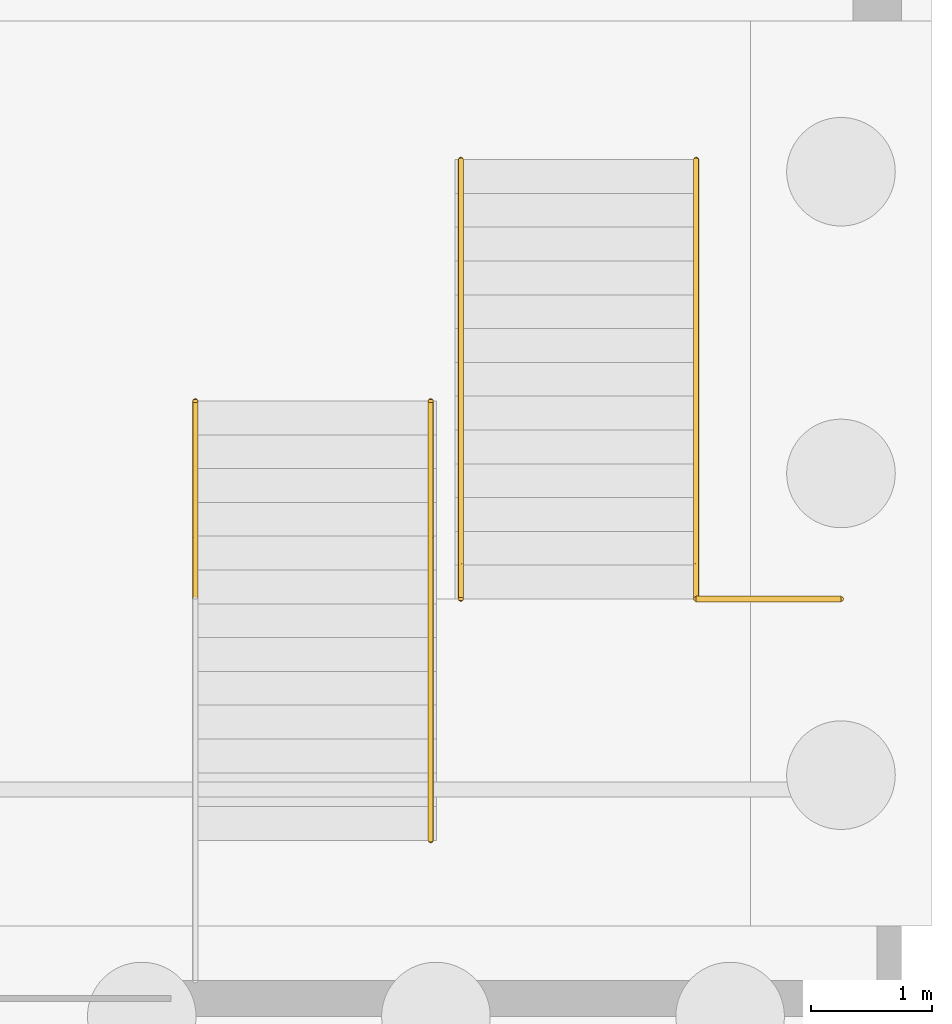
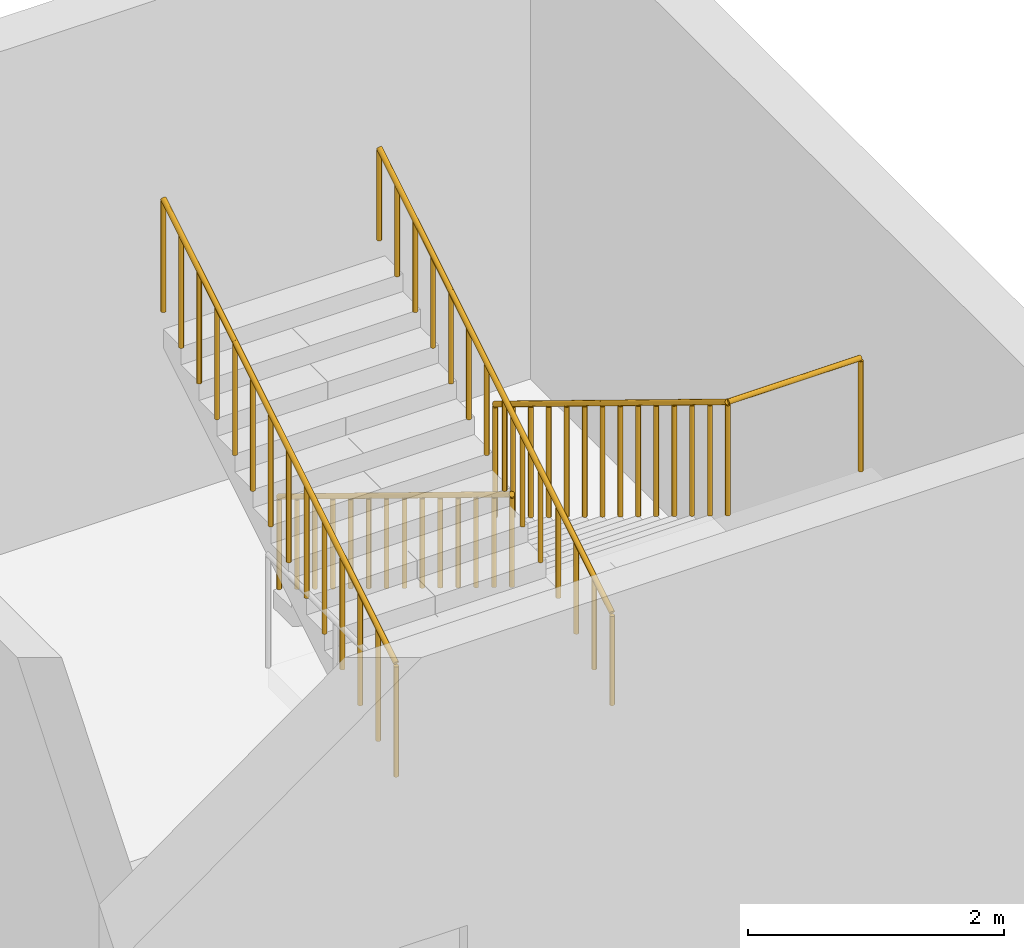
# One storey, part 17 of 17: 5 railings.
"""IFC4 building model written with IfcOpenShell, lengths in metres."""

from ifc_helpers import new_model, si_unit, direction, frame, origin, origin_2d, place, context, subcontext, project, spatial, circle, extrude, material, type_object, element, save


model = new_model("IFC4")

# Units and contexts
model_context = context("Model", 3, precision=1e-05, world=origin(), true_north=direction((0.0, 1.0)))
body_context = subcontext(model_context, "Body", "Model", "MODEL_VIEW")
ifc_project = project(units=[si_unit("LENGTHUNIT", "METRE"), si_unit("AREAUNIT", "SQUARE_METRE"), si_unit("VOLUMEUNIT", "CUBIC_METRE"), si_unit("PLANEANGLEUNIT", "RADIAN"), si_unit("MASSUNIT", "GRAM", prefix="KILO")], contexts=[model_context])

# Site, building, storey
site_placement = place(None, origin())
site = spatial("IfcSite", under=ifc_project, at=site_placement, CompositionType="ELEMENT")
building_placement = place(site_placement, origin())
building = spatial("IfcBuilding", under=site, at=building_placement, Name="Halyard Row Museum", CompositionType="ELEMENT")
storey_placement = place(building_placement, frame((0.0, 0.0, -9.60009765625)))
storey = spatial("IfcBuildingStorey", under=building, at=storey_placement, Name="B2", CompositionType="ELEMENT", Elevation=-9.60009765625)

# Railings
ifc_material_1 = material(Name="Steel Grade 300", Category="steel")
railing_type_1 = type_object("IfcRailingType", Name="Guard GR2 steel balustrade 1100", PredefinedType="GUARDRAIL", material=ifc_material_1)
railing_1_placement = place(storey_placement, frame((106.5, 61.10009765625, 0.171630859375)))
element("IfcRailing", 1, at=railing_1_placement, inside=storey, type_object=railing_type_1, Name="Guard GR108", PredefinedType="GUARDRAIL", context=body_context, shape_type="SweptSolid", body=[
    extrude(circle(Radius=0.02392578125, at=origin_2d()), frame((0.0, 0.0, 1.076171875), z_axis=(0.0, -0.852932391421, 0.522021393877), x_axis=(1.0, 0.0, 0.0)), (0.0, 0.0, 1.0), 0.328369140625),
    extrude(circle(Radius=0.02392578125, at=origin_2d()), frame((0.0, -0.280029296875, 1.24755859375), z_axis=(0.0, -0.852932391421, 0.522021393877), x_axis=(1.0, 0.0, 0.0)), (0.0, 0.0, 1.0), 0.328369140625),
    extrude(circle(Radius=0.02392578125, at=origin_2d()), frame((0.0, -0.56005859375, 1.4189453125), z_axis=(0.0, -0.852932391421, 0.522021393877), x_axis=(1.0, 0.0, 0.0)), (0.0, 0.0, 1.0), 0.328369140625),
    extrude(circle(Radius=0.02392578125, at=origin_2d()), frame((0.0, -0.840087890625, 1.59033203125), z_axis=(0.0, -0.852932391421, 0.522021393877), x_axis=(1.0, 0.0, 0.0)), (0.0, 0.0, 1.0), 0.328369140625),
    extrude(circle(Radius=0.02392578125, at=origin_2d()), frame((0.0, -1.1201171875, 1.76171875), z_axis=(0.0, -0.852932391421, 0.522021393877), x_axis=(1.0, 0.0, 0.0)), (0.0, 0.0, 1.0), 0.328369140625),
    extrude(circle(Radius=0.02392578125, at=origin_2d()), frame((0.0, -1.400146484375, 1.93310546875), z_axis=(0.0, -0.852601252411, 0.522562057929), x_axis=(1.0, 0.0, 0.0)), (0.0, 0.0, 1.0), 0.328369140625),
    extrude(circle(Radius=0.02392578125, at=origin_2d()), frame((0.0, -1.68017578125, 2.1044921875), z_axis=(0.0, -0.852932391421, 0.522021393877), x_axis=(1.0, 0.0, 0.0)), (0.0, 0.0, 1.0), 0.328369140625),
    extrude(circle(Radius=0.02392578125, at=origin_2d()), frame((0.0, -1.960205078125, 2.27587890625), z_axis=(0.0, -0.852729557261, 0.522352660731), x_axis=(1.0, 0.0, 0.0)), (0.0, 0.0, 1.0), 0.328125),
    extrude(circle(Radius=0.02392578125, at=origin_2d()), frame((0.0, -2.239990234375, 2.447265625), z_axis=(0.0, -0.852932391421, 0.522021393877), x_axis=(1.0, 0.0, 0.0)), (0.0, 0.0, 1.0), 0.328369140625),
    extrude(circle(Radius=0.02392578125, at=origin_2d()), frame((0.0, -2.52001953125, 2.61865234375), z_axis=(0.0, -0.852932391421, 0.522021393877), x_axis=(1.0, 0.0, 0.0)), (0.0, 0.0, 1.0), 0.328369140625),
    extrude(circle(Radius=0.02392578125, at=origin_2d()), frame((0.0, -2.800048828125, 2.7900390625), z_axis=(0.0, -0.852932391421, 0.522021393877), x_axis=(1.0, 0.0, 0.0)), (0.0, 0.0, 1.0), 0.328369140625),
    extrude(circle(Radius=0.02392578125, at=origin_2d()), frame((0.0, -3.080078125, 2.96142578125), z_axis=(0.0, -0.852601252411, 0.522562057929), x_axis=(1.0, 0.0, 0.0)), (0.0, 0.0, 1.0), 0.328369140625),
    extrude(circle(Radius=0.02392578125, at=origin_2d()), frame((0.0, -3.360107421875, 3.13330078125), z_axis=(0.0, -0.852932391421, 0.522021393877), x_axis=(1.0, 0.0, 0.0)), (0.0, 0.0, 1.0), 0.328369140625),
    extrude(circle(Radius=0.02099609375, at=origin_2d()), origin(), (0.0, 0.0, 1.0), 1.052001953125),
    extrude(circle(Radius=0.02099609375, at=origin_2d()), frame((0.0, -0.280029296875, 0.17138671875)), (0.0, 0.0, 1.0), 1.052001953125),
    extrude(circle(Radius=0.02099609375, at=origin_2d()), frame((0.0, -0.56005859375, 0.3427734375)), (0.0, 0.0, 1.0), 1.052001953125),
    extrude(circle(Radius=0.02099609375, at=origin_2d()), frame((0.0, -0.840087890625, 0.51416015625)), (0.0, 0.0, 1.0), 1.052001953125),
    extrude(circle(Radius=0.02099609375, at=origin_2d()), frame((0.0, -1.1201171875, 0.685546875)), (0.0, 0.0, 1.0), 1.052001953125),
    extrude(circle(Radius=0.02099609375, at=origin_2d()), frame((0.0, -1.400146484375, 0.85693359375)), (0.0, 0.0, 1.0), 1.052001953125),
    extrude(circle(Radius=0.02099609375, at=origin_2d()), frame((0.0, -1.68017578125, 1.028564453125)), (0.0, 0.0, 1.0), 1.052001953125),
    extrude(circle(Radius=0.02099609375, at=origin_2d()), frame((0.0, -1.960205078125, 1.199951171875)), (0.0, 0.0, 1.0), 1.052001953125),
    extrude(circle(Radius=0.02099609375, at=origin_2d()), frame((0.0, -2.239990234375, 1.371337890625)), (0.0, 0.0, 1.0), 1.052001953125),
    extrude(circle(Radius=0.02099609375, at=origin_2d()), frame((0.0, -2.52001953125, 1.542724609375)), (0.0, 0.0, 1.0), 1.052001953125),
    extrude(circle(Radius=0.02099609375, at=origin_2d()), frame((0.0, -2.800048828125, 1.714111328125)), (0.0, 0.0, 1.0), 1.052001953125),
    extrude(circle(Radius=0.02099609375, at=origin_2d()), frame((0.0, -3.080078125, 1.885498046875)), (0.0, 0.0, 1.0), 1.052001953125),
    extrude(circle(Radius=0.02099609375, at=origin_2d()), frame((0.0, -3.360107421875, 2.05712890625)), (0.0, 0.0, 1.0), 1.052001953125),
    extrude(circle(Radius=0.02099609375, at=origin_2d()), frame((0.0, -3.64013671875, 2.228515625)), (0.0, 0.0, 1.0), 1.052001953125),
])
railing_2_placement = place(storey_placement, frame((102.35009765625, 55.4599609375, 2.571533203125)))
element("IfcRailing", 2, at=railing_2_placement, inside=storey, type_object=railing_type_1, Name="Guard GR109", PredefinedType="GUARDRAIL", context=body_context, shape_type="SweptSolid", body=[
    extrude(circle(Radius=0.02392578125, at=origin_2d()), frame((0.0, 0.0, 1.076171875), z_axis=(0.0, 0.852932391421, 0.522021393877), x_axis=(-1.0, 0.0, 0.0)), (0.0, 0.0, 1.0), 0.328369140625),
    extrude(circle(Radius=0.02392578125, at=origin_2d()), frame((0.0, 0.280029296875, 1.24755859375), z_axis=(0.0, 0.852932391421, 0.522021393877), x_axis=(-1.0, 0.0, 0.0)), (0.0, 0.0, 1.0), 0.328369140625),
    extrude(circle(Radius=0.02392578125, at=origin_2d()), frame((0.0, 0.56005859375, 1.4189453125), z_axis=(0.0, 0.852932391421, 0.522021393877), x_axis=(-1.0, 0.0, 0.0)), (0.0, 0.0, 1.0), 0.328369140625),
    extrude(circle(Radius=0.02392578125, at=origin_2d()), frame((0.0, 0.840087890625, 1.59033203125), z_axis=(0.0, 0.852601252411, 0.522562057929), x_axis=(-1.0, 0.0, 0.0)), (0.0, 0.0, 1.0), 0.328369140625),
    extrude(circle(Radius=0.02392578125, at=origin_2d()), frame((0.0, 1.1201171875, 1.76171875), z_axis=(0.0, 0.852932391421, 0.522021393877), x_axis=(-1.0, 0.0, 0.0)), (0.0, 0.0, 1.0), 0.328369140625),
    extrude(circle(Radius=0.02392578125, at=origin_2d()), frame((0.0, 1.400146484375, 1.93310546875), z_axis=(0.0, 0.852729557261, 0.522352660731), x_axis=(-1.0, 0.0, 0.0)), (0.0, 0.0, 1.0), 0.328125),
    extrude(circle(Radius=0.02392578125, at=origin_2d()), frame((0.0, 1.679931640625, 2.1044921875), z_axis=(0.0, 0.852932391421, 0.522021393877), x_axis=(-1.0, 0.0, 0.0)), (0.0, 0.0, 1.0), 0.328369140625),
    extrude(circle(Radius=0.02392578125, at=origin_2d()), frame((0.0, 1.9599609375, 2.27587890625), z_axis=(0.0, 0.852932391421, 0.522021393877), x_axis=(-1.0, 0.0, 0.0)), (0.0, 0.0, 1.0), 0.328369140625),
    extrude(circle(Radius=0.02392578125, at=origin_2d()), frame((0.0, 2.239990234375, 2.447265625), z_axis=(0.0, 0.852601252411, 0.522562057929), x_axis=(-1.0, 0.0, 0.0)), (0.0, 0.0, 1.0), 0.328369140625),
    extrude(circle(Radius=0.02392578125, at=origin_2d()), frame((0.0, 2.52001953125, 2.619140625), z_axis=(0.0, 0.852932391421, 0.522021393877), x_axis=(-1.0, 0.0, 0.0)), (0.0, 0.0, 1.0), 0.328369140625),
    extrude(circle(Radius=0.02392578125, at=origin_2d()), frame((0.0, 2.800048828125, 2.79052734375), z_axis=(0.0, 0.852932391421, 0.522021393877), x_axis=(-1.0, 0.0, 0.0)), (0.0, 0.0, 1.0), 0.328369140625),
    extrude(circle(Radius=0.02392578125, at=origin_2d()), frame((0.0, 3.080078125, 2.9619140625), z_axis=(0.0, 0.852932391421, 0.522021393877), x_axis=(-1.0, 0.0, 0.0)), (0.0, 0.0, 1.0), 0.328369140625),
    extrude(circle(Radius=0.02392578125, at=origin_2d()), frame((0.0, 3.360107421875, 3.13330078125), z_axis=(0.0, 0.852932391421, 0.522021393877), x_axis=(-1.0, 0.0, 0.0)), (0.0, 0.0, 1.0), 0.328369140625),
    extrude(circle(Radius=0.02099609375, at=origin_2d()), origin(), (0.0, 0.0, 1.0), 1.052001953125),
    extrude(circle(Radius=0.02099609375, at=origin_2d()), frame((0.0, 0.280029296875, 0.17138671875)), (0.0, 0.0, 1.0), 1.052001953125),
    extrude(circle(Radius=0.02099609375, at=origin_2d()), frame((0.0, 0.56005859375, 0.3427734375)), (0.0, 0.0, 1.0), 1.052001953125),
    extrude(circle(Radius=0.02099609375, at=origin_2d()), frame((0.0, 0.840087890625, 0.51416015625)), (0.0, 0.0, 1.0), 1.052001953125),
    extrude(circle(Radius=0.02099609375, at=origin_2d()), frame((0.0, 1.1201171875, 0.685791015625)), (0.0, 0.0, 1.0), 1.052001953125),
    extrude(circle(Radius=0.02099609375, at=origin_2d()), frame((0.0, 1.400146484375, 0.857177734375)), (0.0, 0.0, 1.0), 1.052001953125),
    extrude(circle(Radius=0.02099609375, at=origin_2d()), frame((0.0, 1.679931640625, 1.028564453125)), (0.0, 0.0, 1.0), 1.052001953125),
    extrude(circle(Radius=0.02099609375, at=origin_2d()), frame((0.0, 1.9599609375, 1.199951171875)), (0.0, 0.0, 1.0), 1.052001953125),
    extrude(circle(Radius=0.02099609375, at=origin_2d()), frame((0.0, 2.239990234375, 1.371337890625)), (0.0, 0.0, 1.0), 1.052001953125),
    extrude(circle(Radius=0.02099609375, at=origin_2d()), frame((0.0, 2.52001953125, 1.54296875)), (0.0, 0.0, 1.0), 1.052001953125),
    extrude(circle(Radius=0.02099609375, at=origin_2d()), frame((0.0, 2.800048828125, 1.71435546875)), (0.0, 0.0, 1.0), 1.052001953125),
    extrude(circle(Radius=0.02099609375, at=origin_2d()), frame((0.0, 3.080078125, 1.8857421875)), (0.0, 0.0, 1.0), 1.052001953125),
    extrude(circle(Radius=0.02099609375, at=origin_2d()), frame((0.0, 3.360107421875, 2.05712890625)), (0.0, 0.0, 1.0), 1.052001953125),
    extrude(circle(Radius=0.02099609375, at=origin_2d()), frame((0.0, 3.64013671875, 2.228515625)), (0.0, 0.0, 1.0), 1.052001953125),
])
railing_3_placement = place(storey_placement, frame((107.699951171875, 57.4599609375, 2.400146484375)))
element("IfcRailing", 3, at=railing_3_placement, inside=storey, type_object=railing_type_1, Name="Guard GR110", PredefinedType="GUARDRAIL", context=body_context, shape_type="SweptSolid", body=[
    extrude(circle(Radius=0.02392578125, at=origin_2d()), frame((0.0, 0.0, 1.076171875), z_axis=(-1.0, 0.0, 0.0), x_axis=(0.0, -1.0, 0.0)), (0.0, 0.0, 1.0), 1.199951171875),
    extrude(circle(Radius=0.02099609375, at=origin_2d()), origin(), (0.0, 0.0, 1.0), 1.052001953125),
    extrude(circle(Radius=0.02099609375, at=origin_2d()), frame((-1.199951171875, 0.0, 0.0)), (0.0, 0.0, 1.0), 1.052001953125),
])
ifc_material_2 = material(Name="Steel Grade 300", Category="steel")
railing_type_2 = type_object("IfcRailingType", Name="Handrail HR2 steel 900", PredefinedType="HANDRAIL", material=ifc_material_2)
railing_4_placement = place(storey_placement, frame((104.550048828125, 61.10009765625, 0.171630859375)))
element("IfcRailing", 4, at=railing_4_placement, inside=storey, type_object=railing_type_2, Name="Handrail HR141", PredefinedType="HANDRAIL", context=body_context, shape_type="SweptSolid", body=[
    extrude(circle(Radius=0.02392578125, at=origin_2d()), frame((0.0, 0.0, 0.8759765625), z_axis=(0.0, -0.852932391421, 0.522021393877), x_axis=(1.0, 0.0, 0.0)), (0.0, 0.0, 1.0), 0.328369140625),
    extrude(circle(Radius=0.02392578125, at=origin_2d()), frame((0.0, -0.280029296875, 1.04736328125), z_axis=(0.0, -0.852932391421, 0.522021393877), x_axis=(1.0, 0.0, 0.0)), (0.0, 0.0, 1.0), 0.328369140625),
    extrude(circle(Radius=0.02392578125, at=origin_2d()), frame((0.0, -0.56005859375, 1.21875), z_axis=(0.0, -0.852932391421, 0.522021393877), x_axis=(1.0, 0.0, 0.0)), (0.0, 0.0, 1.0), 0.328369140625),
    extrude(circle(Radius=0.02392578125, at=origin_2d()), frame((0.0, -0.840087890625, 1.39013671875), z_axis=(0.0, -0.852932391421, 0.522021393877), x_axis=(1.0, 0.0, 0.0)), (0.0, 0.0, 1.0), 0.328369140625),
    extrude(circle(Radius=0.02392578125, at=origin_2d()), frame((0.0, -1.1201171875, 1.5615234375), z_axis=(0.0, -0.852932391421, 0.522021393877), x_axis=(1.0, 0.0, 0.0)), (0.0, 0.0, 1.0), 0.328369140625),
    extrude(circle(Radius=0.02392578125, at=origin_2d()), frame((0.0, -1.400146484375, 1.73291015625), z_axis=(0.0, -0.852601252411, 0.522562057929), x_axis=(1.0, 0.0, 0.0)), (0.0, 0.0, 1.0), 0.328369140625),
    extrude(circle(Radius=0.02392578125, at=origin_2d()), frame((0.0, -1.68017578125, 1.904296875), z_axis=(0.0, -0.852932391421, 0.522021393877), x_axis=(1.0, 0.0, 0.0)), (0.0, 0.0, 1.0), 0.328369140625),
    extrude(circle(Radius=0.02392578125, at=origin_2d()), frame((0.0, -1.960205078125, 2.07568359375), z_axis=(0.0, -0.852729557261, 0.522352660731), x_axis=(1.0, 0.0, 0.0)), (0.0, 0.0, 1.0), 0.328125),
    extrude(circle(Radius=0.02392578125, at=origin_2d()), frame((0.0, -2.239990234375, 2.2470703125), z_axis=(0.0, -0.852932391421, 0.522021393877), x_axis=(1.0, 0.0, 0.0)), (0.0, 0.0, 1.0), 0.328369140625),
    extrude(circle(Radius=0.02392578125, at=origin_2d()), frame((0.0, -2.52001953125, 2.41845703125), z_axis=(0.0, -0.852932391421, 0.522021393877), x_axis=(1.0, 0.0, 0.0)), (0.0, 0.0, 1.0), 0.328369140625),
    extrude(circle(Radius=0.02392578125, at=origin_2d()), frame((0.0, -2.800048828125, 2.58984375), z_axis=(0.0, -0.852932391421, 0.522021393877), x_axis=(1.0, 0.0, 0.0)), (0.0, 0.0, 1.0), 0.328369140625),
    extrude(circle(Radius=0.02392578125, at=origin_2d()), frame((0.0, -3.080078125, 2.76123046875), z_axis=(0.0, -0.852601252411, 0.522562057929), x_axis=(1.0, 0.0, 0.0)), (0.0, 0.0, 1.0), 0.328369140625),
    extrude(circle(Radius=0.02392578125, at=origin_2d()), frame((0.0, -3.360107421875, 2.93310546875), z_axis=(0.0, -0.852932391421, 0.522021393877), x_axis=(1.0, 0.0, 0.0)), (0.0, 0.0, 1.0), 0.328369140625),
    extrude(circle(Radius=0.02099609375, at=origin_2d()), origin(), (0.0, 0.0, 1.0), 0.851806640625),
    extrude(circle(Radius=0.02099609375, at=origin_2d()), frame((0.0, -0.280029296875, 0.17138671875)), (0.0, 0.0, 1.0), 0.851806640625),
    extrude(circle(Radius=0.02099609375, at=origin_2d()), frame((0.0, -0.56005859375, 0.3427734375)), (0.0, 0.0, 1.0), 0.851806640625),
    extrude(circle(Radius=0.02099609375, at=origin_2d()), frame((0.0, -0.840087890625, 0.51416015625)), (0.0, 0.0, 1.0), 0.851806640625),
    extrude(circle(Radius=0.02099609375, at=origin_2d()), frame((0.0, -1.1201171875, 0.685546875)), (0.0, 0.0, 1.0), 0.851806640625),
    extrude(circle(Radius=0.02099609375, at=origin_2d()), frame((0.0, -1.400146484375, 0.85693359375)), (0.0, 0.0, 1.0), 0.851806640625),
    extrude(circle(Radius=0.02099609375, at=origin_2d()), frame((0.0, -1.68017578125, 1.028564453125)), (0.0, 0.0, 1.0), 0.851806640625),
    extrude(circle(Radius=0.02099609375, at=origin_2d()), frame((0.0, -1.960205078125, 1.199951171875)), (0.0, 0.0, 1.0), 0.851806640625),
    extrude(circle(Radius=0.02099609375, at=origin_2d()), frame((0.0, -2.239990234375, 1.371337890625)), (0.0, 0.0, 1.0), 0.851806640625),
    extrude(circle(Radius=0.02099609375, at=origin_2d()), frame((0.0, -2.52001953125, 1.542724609375)), (0.0, 0.0, 1.0), 0.851806640625),
    extrude(circle(Radius=0.02099609375, at=origin_2d()), frame((0.0, -2.800048828125, 1.714111328125)), (0.0, 0.0, 1.0), 0.851806640625),
    extrude(circle(Radius=0.02099609375, at=origin_2d()), frame((0.0, -3.080078125, 1.885498046875)), (0.0, 0.0, 1.0), 0.851806640625),
    extrude(circle(Radius=0.02099609375, at=origin_2d()), frame((0.0, -3.360107421875, 2.05712890625)), (0.0, 0.0, 1.0), 0.851806640625),
    extrude(circle(Radius=0.02099609375, at=origin_2d()), frame((0.0, -3.64013671875, 2.228515625)), (0.0, 0.0, 1.0), 0.851806640625),
])
railing_5_placement = place(storey_placement, frame((104.300048828125, 55.4599609375, 2.571533203125)))
element("IfcRailing", 5, at=railing_5_placement, inside=storey, type_object=railing_type_2, Name="Handrail HR142", PredefinedType="HANDRAIL", context=body_context, shape_type="SweptSolid", body=[
    extrude(circle(Radius=0.02392578125, at=origin_2d()), frame((0.0, 0.0, 0.8759765625), z_axis=(0.0, 0.852932391421, 0.522021393877), x_axis=(-1.0, 0.0, 0.0)), (0.0, 0.0, 1.0), 0.328369140625),
    extrude(circle(Radius=0.02392578125, at=origin_2d()), frame((0.0, 0.280029296875, 1.04736328125), z_axis=(0.0, 0.852932391421, 0.522021393877), x_axis=(-1.0, 0.0, 0.0)), (0.0, 0.0, 1.0), 0.328369140625),
    extrude(circle(Radius=0.02392578125, at=origin_2d()), frame((0.0, 0.56005859375, 1.21875), z_axis=(0.0, 0.852932391421, 0.522021393877), x_axis=(-1.0, 0.0, 0.0)), (0.0, 0.0, 1.0), 0.328369140625),
    extrude(circle(Radius=0.02392578125, at=origin_2d()), frame((0.0, 0.840087890625, 1.39013671875), z_axis=(0.0, 0.852601252411, 0.522562057929), x_axis=(-1.0, 0.0, 0.0)), (0.0, 0.0, 1.0), 0.328369140625),
    extrude(circle(Radius=0.02392578125, at=origin_2d()), frame((0.0, 1.1201171875, 1.5615234375), z_axis=(0.0, 0.852932391421, 0.522021393877), x_axis=(-1.0, 0.0, 0.0)), (0.0, 0.0, 1.0), 0.328369140625),
    extrude(circle(Radius=0.02392578125, at=origin_2d()), frame((0.0, 1.400146484375, 1.73291015625), z_axis=(0.0, 0.852729557261, 0.522352660731), x_axis=(-1.0, 0.0, 0.0)), (0.0, 0.0, 1.0), 0.328125),
    extrude(circle(Radius=0.02392578125, at=origin_2d()), frame((0.0, 1.679931640625, 1.904296875), z_axis=(0.0, 0.852932391421, 0.522021393877), x_axis=(-1.0, 0.0, 0.0)), (0.0, 0.0, 1.0), 0.328369140625),
    extrude(circle(Radius=0.02392578125, at=origin_2d()), frame((0.0, 1.9599609375, 2.07568359375), z_axis=(0.0, 0.852932391421, 0.522021393877), x_axis=(-1.0, 0.0, 0.0)), (0.0, 0.0, 1.0), 0.328369140625),
    extrude(circle(Radius=0.02392578125, at=origin_2d()), frame((0.0, 2.239990234375, 2.2470703125), z_axis=(0.0, 0.852601252411, 0.522562057929), x_axis=(-1.0, 0.0, 0.0)), (0.0, 0.0, 1.0), 0.328369140625),
    extrude(circle(Radius=0.02392578125, at=origin_2d()), frame((0.0, 2.52001953125, 2.4189453125), z_axis=(0.0, 0.852932391421, 0.522021393877), x_axis=(-1.0, 0.0, 0.0)), (0.0, 0.0, 1.0), 0.328369140625),
    extrude(circle(Radius=0.02392578125, at=origin_2d()), frame((0.0, 2.800048828125, 2.59033203125), z_axis=(0.0, 0.852932391421, 0.522021393877), x_axis=(-1.0, 0.0, 0.0)), (0.0, 0.0, 1.0), 0.328369140625),
    extrude(circle(Radius=0.02392578125, at=origin_2d()), frame((0.0, 3.080078125, 2.76171875), z_axis=(0.0, 0.852932391421, 0.522021393877), x_axis=(-1.0, 0.0, 0.0)), (0.0, 0.0, 1.0), 0.328369140625),
    extrude(circle(Radius=0.02392578125, at=origin_2d()), frame((0.0, 3.360107421875, 2.93310546875), z_axis=(0.0, 0.852932391421, 0.522021393877), x_axis=(-1.0, 0.0, 0.0)), (0.0, 0.0, 1.0), 0.328369140625),
    extrude(circle(Radius=0.02099609375, at=origin_2d()), origin(), (0.0, 0.0, 1.0), 0.851806640625),
    extrude(circle(Radius=0.02099609375, at=origin_2d()), frame((0.0, 0.280029296875, 0.17138671875)), (0.0, 0.0, 1.0), 0.851806640625),
    extrude(circle(Radius=0.02099609375, at=origin_2d()), frame((0.0, 0.56005859375, 0.3427734375)), (0.0, 0.0, 1.0), 0.851806640625),
    extrude(circle(Radius=0.02099609375, at=origin_2d()), frame((0.0, 0.840087890625, 0.51416015625)), (0.0, 0.0, 1.0), 0.851806640625),
    extrude(circle(Radius=0.02099609375, at=origin_2d()), frame((0.0, 1.1201171875, 0.685791015625)), (0.0, 0.0, 1.0), 0.851806640625),
    extrude(circle(Radius=0.02099609375, at=origin_2d()), frame((0.0, 1.400146484375, 0.857177734375)), (0.0, 0.0, 1.0), 0.851806640625),
    extrude(circle(Radius=0.02099609375, at=origin_2d()), frame((0.0, 1.679931640625, 1.028564453125)), (0.0, 0.0, 1.0), 0.851806640625),
    extrude(circle(Radius=0.02099609375, at=origin_2d()), frame((0.0, 1.9599609375, 1.199951171875)), (0.0, 0.0, 1.0), 0.851806640625),
    extrude(circle(Radius=0.02099609375, at=origin_2d()), frame((0.0, 2.239990234375, 1.371337890625)), (0.0, 0.0, 1.0), 0.851806640625),
    extrude(circle(Radius=0.02099609375, at=origin_2d()), frame((0.0, 2.52001953125, 1.54296875)), (0.0, 0.0, 1.0), 0.851806640625),
    extrude(circle(Radius=0.02099609375, at=origin_2d()), frame((0.0, 2.800048828125, 1.71435546875)), (0.0, 0.0, 1.0), 0.851806640625),
    extrude(circle(Radius=0.02099609375, at=origin_2d()), frame((0.0, 3.080078125, 1.8857421875)), (0.0, 0.0, 1.0), 0.851806640625),
    extrude(circle(Radius=0.02099609375, at=origin_2d()), frame((0.0, 3.360107421875, 2.05712890625)), (0.0, 0.0, 1.0), 0.851806640625),
    extrude(circle(Radius=0.02099609375, at=origin_2d()), frame((0.0, 3.64013671875, 2.228515625)), (0.0, 0.0, 1.0), 0.851806640625),
])

save(model, "model.ifc")
